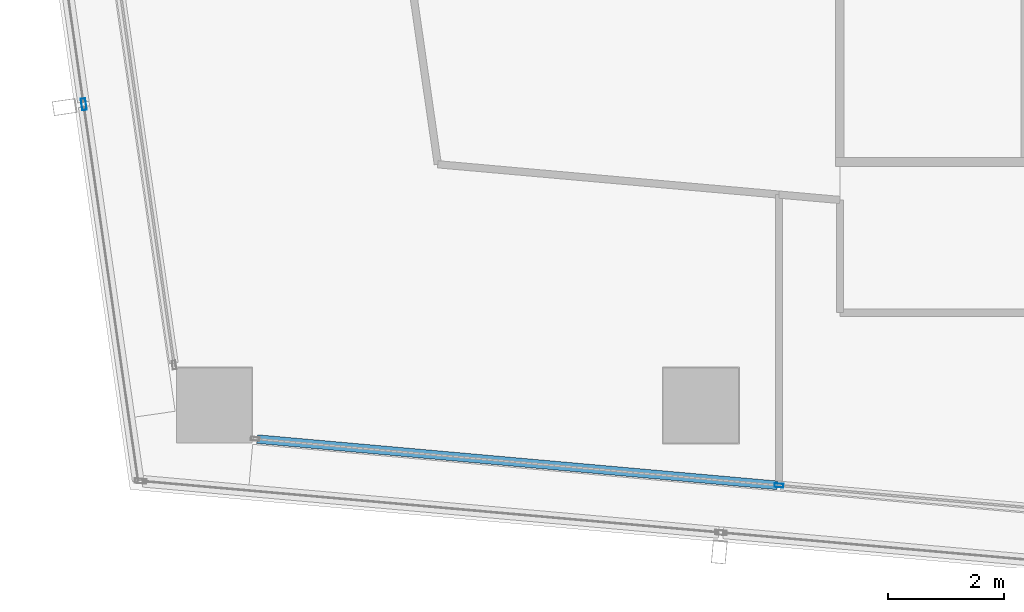
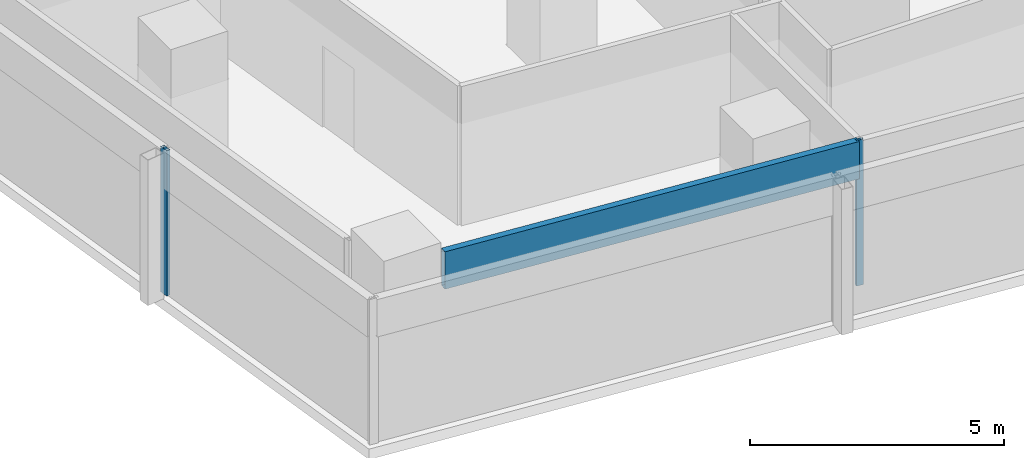
# One storey, part 3 of 29: 3 members, 2 elements without a shape of their own.
"""IFC4 building model written with IfcOpenShell, lengths in metres."""

from ifc_helpers import new_model, si_unit, direction, frame, origin, origin_2d, place, context, subcontext, project, spatial, hollow_rectangle, extrude, material, material_profile, profile_set, type_object, element, aggregate, save


model = new_model("IFC4")

# Units and contexts
model_context = context("Model", 3, precision=1e-05, world=origin(), true_north=direction((0.0, 1.0)))
body_context = subcontext(model_context, "Body", "Model", "MODEL_VIEW")
ifc_project = project(units=[si_unit("LENGTHUNIT", "METRE"), si_unit("AREAUNIT", "SQUARE_METRE"), si_unit("VOLUMEUNIT", "CUBIC_METRE"), si_unit("PLANEANGLEUNIT", "RADIAN"), si_unit("MASSUNIT", "GRAM", prefix="KILO")], contexts=[model_context])

# Site, building, storey
site_placement = place(None, origin())
site = spatial("IfcSite", under=ifc_project, at=site_placement, CompositionType="ELEMENT")
building_placement = place(site_placement, origin())
building = spatial("IfcBuilding", under=site, at=building_placement, Name="Rekha Terrace Tower", CompositionType="ELEMENT")
storey_placement = place(building_placement, frame((0.0, 0.0, 261.35009765625)))
storey = spatial("IfcBuildingStorey", under=building, at=storey_placement, Name="L66", CompositionType="ELEMENT", Elevation=261.35009765625)

# Curtain wall, members
ifc_material_1 = material(Name="Aluminium framing", Category="aluminium")
curtain_wall_type_1 = type_object("IfcCurtainWallType", Name="CW1 double skin inner glazing", PredefinedType="USERDEFINED", material=ifc_material_1)
curtain_wall_1_placement = place(storey_placement, origin())
curtain_wall_1 = element("IfcCurtainWall", 1, at=curtain_wall_1_placement, inside=storey, type_object=curtain_wall_type_1, Name="CW1 double skin inner glazing", ObjectType="DOUBLE SKIN INNER GLAZING", PredefinedType="USERDEFINED")
ifc_material_2 = material(Name="Aluminium mullion section", Category="aluminium")
ifc_material_profile_1 = material_profile(ifc_material_2, hollow_rectangle(XDim=0.06494140625, YDim=0.14990234375, WallThickness=0.00390625, at=origin_2d()), Name="AL RHS 65x150")
ifc_profile_set_1 = profile_set([ifc_material_profile_1], Name="Aluminium mullion section")
member_type_1 = type_object("IfcMemberType", Name="CW1 mullion RHS 65 x 150", PredefinedType="MULLION", material=ifc_profile_set_1)
member_1_placement = place(storey_placement, frame((18.1494140625, 15.4189453125, 0.0), z_axis=(0.0, 0.0, 1.0), x_axis=(0.088522441405, 0.996074182663, 0.0)))
member_1 = element("IfcMember", 2, at=member_1_placement, type_object=member_type_1, Name="CW1 mullion 2", PredefinedType="MULLION", context=body_context, shape_type="SweptSolid", body=[
    extrude(hollow_rectangle(XDim=0.06494140625, YDim=0.14990234375, WallThickness=0.00390625, at=origin_2d()), origin(), (0.0, 0.0, 1.0), 3.5),
])
ifc_material_3 = material(Name="Insulated aluminium spandrel box", Category="aluminium")
ifc_material_profile_2 = material_profile(ifc_material_3, hollow_rectangle(XDim=0.14990234375, YDim=0.89990234375, WallThickness=0.0029296875, at=origin_2d()), Name="AL SPANDREL BOX 150x900")
ifc_profile_set_2 = profile_set([ifc_material_profile_2], Name="Insulated aluminium spandrel box")
member_type_2 = type_object("IfcMemberType", Name="CW1 spandrel transom 150 x 900", PredefinedType="USERDEFINED", material=ifc_profile_set_2)
member_2_placement = place(storey_placement, frame((9.1416015625, 16.219482421875, 3.0498046875), z_axis=(0.996072428294, -0.088542179732, 0.0), x_axis=(0.088542179732, 0.996072428294, 0.0)))
member_2 = element("IfcMember", 3, at=member_2_placement, type_object=member_type_2, Name="CW1 spandrel transom 1", ObjectType="TRANSOM", PredefinedType="USERDEFINED", context=body_context, shape_type="SweptSolid", body=[
    extrude(hollow_rectangle(XDim=0.14990234375, YDim=0.89990234375, WallThickness=0.0029296875, at=origin_2d()), origin(), (0.0, 0.0, 1.0), 9.010986328125),
])
aggregate(curtain_wall_1, [member_1, member_2])

# Curtain wall, member
curtain_wall_type_2 = type_object("IfcCurtainWallType", Name="CW2 double skin outer glazing", PredefinedType="USERDEFINED", material=ifc_material_1)
curtain_wall_2_placement = place(storey_placement, origin())
curtain_wall_2 = element("IfcCurtainWall", 4, at=curtain_wall_2_placement, inside=storey, type_object=curtain_wall_type_2, Name="CW2 double skin outer glazing", ObjectType="DOUBLE SKIN OUTER GLAZING", PredefinedType="USERDEFINED")
ifc_material_profile_3 = material_profile(ifc_material_2, hollow_rectangle(XDim=0.080078125, YDim=0.199951171875, WallThickness=0.00390625, at=origin_2d()), Name="AL RHS 80x200")
ifc_profile_set_3 = profile_set([ifc_material_profile_3], Name="Aluminium mullion section")
member_type_3 = type_object("IfcMemberType", Name="CW2 mullion RHS 80 x 200", PredefinedType="MULLION", material=ifc_profile_set_3)
member_3_placement = place(storey_placement, frame((6.150634765625, 21.99658203125, 0.0), z_axis=(0.0, 0.0, 1.0), x_axis=(0.989707031389, 0.143108322678, 0.0)))
member_3 = element("IfcMember", 5, at=member_3_placement, type_object=member_type_3, Name="CW2 mullion 2", PredefinedType="MULLION", context=body_context, shape_type="SweptSolid", body=[
    extrude(hollow_rectangle(XDim=0.080078125, YDim=0.199951171875, WallThickness=0.00390625, at=origin_2d()), origin(), (0.0, 0.0, 1.0), 3.5),
])
aggregate(curtain_wall_2, [member_3])

save(model, "model.ifc")
